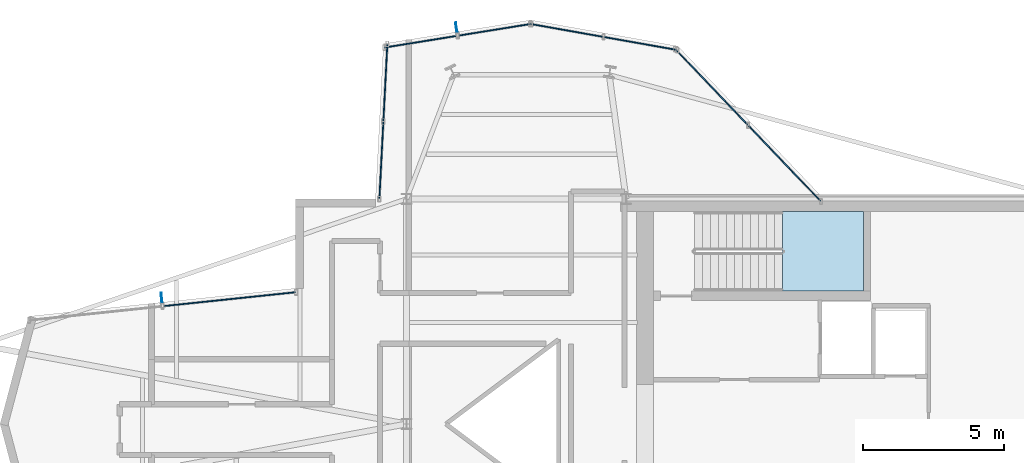
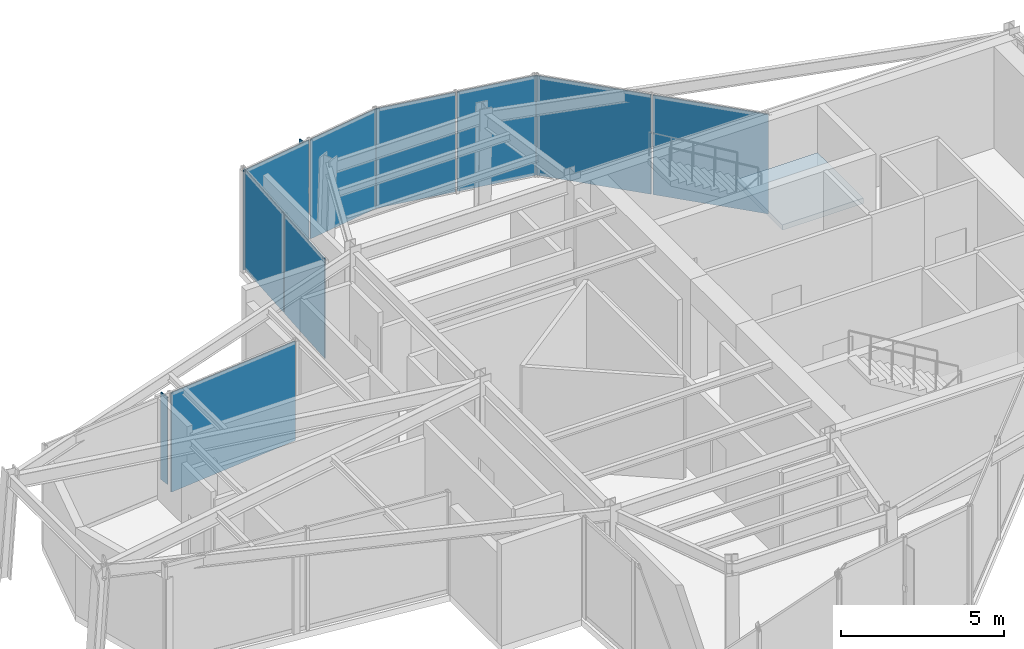
# One storey, part 10 of 14: 11 plates, 1 slab, 6 elements without a shape of their own.
"""IFC4 building model written with IfcOpenShell, lengths in metres."""

from ifc_helpers import new_model, si_unit, direction, frame, origin, origin_2d, place, context, subcontext, project, spatial, polyline, rectangle, outline, extrude, material, layer, layer_set, type_object, element, aggregate, save


model = new_model("IFC4")

# Units and contexts
model_context = context("Model", 3, precision=1e-05, world=origin(), true_north=direction((0.0, 1.0)))
body_context = subcontext(model_context, "Body", "Model", "MODEL_VIEW")
ifc_project = project(units=[si_unit("LENGTHUNIT", "METRE"), si_unit("AREAUNIT", "SQUARE_METRE"), si_unit("VOLUMEUNIT", "CUBIC_METRE"), si_unit("PLANEANGLEUNIT", "RADIAN"), si_unit("MASSUNIT", "GRAM", prefix="KILO")], contexts=[model_context])

# Site, building, storey
site_placement = place(None, origin())
site = spatial("IfcSite", under=ifc_project, at=site_placement, CompositionType="ELEMENT")
building_placement = place(site_placement, origin())
building = spatial("IfcBuilding", under=site, at=building_placement, Name="Veymaron Broadcast Tower", CompositionType="ELEMENT")
storey_placement = place(building_placement, frame((0.0, 0.0, 299.25)))
storey = spatial("IfcBuildingStorey", under=building, at=storey_placement, Name="L70", CompositionType="ELEMENT", Elevation=299.25)

# Curtain wall, plates
ifc_material_1 = material(Name="Anodised aluminium AA 6063-T6 and laminated low-E dark glass", Category="aluminium")
ifc_layer_1 = layer(ifc_material_1, 0.179931640625)
ifc_layer_set_1 = layer_set([ifc_layer_1], Name="Anodised aluminium AA 6063-T6 and laminated low-E dark glass")
curtain_wall_type = type_object("IfcCurtainWallType", Name="CW-SYS-06", PredefinedType="NOTDEFINED", material=ifc_layer_set_1)
curtain_wall_1_placement = place(storey_placement, origin())
curtain_wall_1 = element("IfcCurtainWall", 1, at=curtain_wall_1_placement, inside=storey, type_object=curtain_wall_type, Name="L70 dark-glass curtain wall CW-L70-E5-1", PredefinedType="NOTDEFINED")
ifc_material_2 = material(Name="Insulated dark-anodised aluminium spandrel panel 40 mm", Category="aluminium")
ifc_layer_2 = layer(ifc_material_2, 0.0400390625)
ifc_layer_set_2 = layer_set([ifc_layer_2], Name="Insulated dark-anodised aluminium spandrel panel 40 mm")
plate_type_1 = type_object("IfcPlateType", Name="CW-PNL-03", PredefinedType="CURTAIN_PANEL", material=ifc_layer_set_2)
plate_1_placement = place(storey_placement, frame((44.636474609375, 33.261474609375, 0.0400390625), z_axis=(0.0, 0.0, 1.0), x_axis=(-0.690869792815, 0.722979203972, 0.0)))
plate_1 = element("IfcPlate", 2, at=plate_1_placement, type_object=plate_type_1, Name="CW-L70-E5-1 unitised curtain panel 0", PredefinedType="CURTAIN_PANEL", context=body_context, shape_type="SweptSolid", body=[
    extrude(rectangle(XDim=3.697265625, YDim=0.0400390625, at=origin_2d()), origin(), (0.0, 0.0, 1.0), 3.72998046875),
])
plate_2_placement = place(storey_placement, frame((42.04052734375, 35.977783203125, 0.0400390625), z_axis=(0.0, 0.0, 1.0), x_axis=(-0.690869792815, 0.722979203972, 0.0)))
plate_2 = element("IfcPlate", 3, at=plate_2_placement, type_object=plate_type_1, Name="CW-L70-E5-1 unitised curtain panel 1", PredefinedType="CURTAIN_PANEL", context=body_context, shape_type="SweptSolid", body=[
    extrude(rectangle(XDim=3.697265625, YDim=0.0400390625, at=origin_2d()), origin(), (0.0, 0.0, 1.0), 3.72998046875),
])
aggregate(curtain_wall_1, [plate_1, plate_2])

curtain_wall_2_placement = place(storey_placement, origin())
curtain_wall_2 = element("IfcCurtainWall", 4, at=curtain_wall_2_placement, inside=storey, type_object=curtain_wall_type, Name="L70 dark-glass curtain wall CW-L70-E6-1", PredefinedType="NOTDEFINED")
plate_3_placement = place(storey_placement, frame((39.5107421875, 37.527099609375, 0.0400390625), z_axis=(0.0, 0.0, 1.0), x_axis=(-0.984634513959, 0.174627815429, 0.0)))
plate_3 = element("IfcPlate", 5, at=plate_3_placement, type_object=plate_type_1, Name="CW-L70-E6-1 unitised curtain panel 0", PredefinedType="CURTAIN_PANEL", context=body_context, shape_type="SweptSolid", body=[
    extrude(rectangle(XDim=2.59814453125, YDim=0.0400390625, at=origin_2d()), origin(), (0.0, 0.0, 1.0), 3.72998046875),
])
plate_4_placement = place(storey_placement, frame((36.8935546875, 37.9912109375, 0.0400390625), z_axis=(0.0, 0.0, 1.0), x_axis=(-0.984634513959, 0.174627815429, 0.0)))
plate_4 = element("IfcPlate", 6, at=plate_4_placement, type_object=plate_type_1, Name="CW-L70-E6-1 unitised curtain panel 1", PredefinedType="CURTAIN_PANEL", context=body_context, shape_type="SweptSolid", body=[
    extrude(rectangle(XDim=2.59814453125, YDim=0.0400390625, at=origin_2d()), origin(), (0.0, 0.0, 1.0), 3.72998046875),
])
aggregate(curtain_wall_2, [plate_3, plate_4])

curtain_wall_3_placement = place(storey_placement, origin())
curtain_wall_3 = element("IfcCurtainWall", 7, at=curtain_wall_3_placement, inside=storey, type_object=curtain_wall_type, Name="L70 dark-glass curtain wall CW-L70-E7-1", PredefinedType="NOTDEFINED")
plate_5_placement = place(storey_placement, frame((34.32275390625, 38.011962890625, 0.0400390625), z_axis=(0.0, 0.0, 1.0), x_axis=(-0.987250420904, -0.15917476692, 0.0)))
plate_5 = element("IfcPlate", 8, at=plate_5_placement, type_object=plate_type_1, Name="CW-L70-E7-1 unitised curtain panel 0", PredefinedType="CURTAIN_PANEL", context=body_context, shape_type="SweptSolid", body=[
    extrude(rectangle(XDim=2.59130859375, YDim=0.0400390625, at=origin_2d()), origin(), (0.0, 0.0, 1.0), 3.72998046875),
])
plate_6_placement = place(storey_placement, frame((31.70556640625, 37.590087890625, 0.0400390625), z_axis=(0.0, 0.0, 1.0), x_axis=(-0.987250420904, -0.15917476692, 0.0)))
plate_6 = element("IfcPlate", 9, at=plate_6_placement, type_object=plate_type_1, Name="CW-L70-E7-1 unitised curtain panel 1", PredefinedType="CURTAIN_PANEL", context=body_context, shape_type="SweptSolid", body=[
    extrude(rectangle(XDim=2.59130859375, YDim=0.0400390625, at=origin_2d()), origin(), (0.0, 0.0, 1.0), 3.72998046875),
])
aggregate(curtain_wall_3, [plate_5, plate_6])

curtain_wall_4_placement = place(storey_placement, origin())
curtain_wall_4 = element("IfcCurtainWall", 10, at=curtain_wall_4_placement, inside=storey, type_object=curtain_wall_type, Name="L70 dark-glass curtain wall CW-L70-E8-1", PredefinedType="NOTDEFINED")
plate_7_placement = place(storey_placement, frame((30.443359375, 36.130615234375, 0.0400390625), z_axis=(0.0, 0.0, 1.0), x_axis=(-0.051377316741, -0.998679313556, 0.0)))
plate_7 = element("IfcPlate", 11, at=plate_7_placement, type_object=plate_type_1, Name="CW-L70-E8-1 unitised curtain panel 0", PredefinedType="CURTAIN_PANEL", context=body_context, shape_type="SweptSolid", body=[
    extrude(rectangle(XDim=2.7021484375, YDim=0.0400390625, at=origin_2d()), origin(), (0.0, 0.0, 1.0), 3.72998046875),
])
plate_8_placement = place(storey_placement, frame((30.301513671875, 33.3720703125, 0.0400390625), z_axis=(0.0, 0.0, 1.0), x_axis=(-0.051377316741, -0.998679313556, 0.0)))
plate_8 = element("IfcPlate", 12, at=plate_8_placement, type_object=plate_type_1, Name="CW-L70-E8-1 unitised curtain panel 1", PredefinedType="CURTAIN_PANEL", context=body_context, shape_type="SweptSolid", body=[
    extrude(rectangle(XDim=2.7021484375, YDim=0.0400390625, at=origin_2d()), origin(), (0.0, 0.0, 1.0), 3.72998046875),
])
aggregate(curtain_wall_4, [plate_7, plate_8])

# Curtain wall, plate
curtain_wall_5_placement = place(storey_placement, origin())
curtain_wall_5 = element("IfcCurtainWall", 13, at=curtain_wall_5_placement, inside=storey, type_object=curtain_wall_type, Name="L70 dark-glass curtain wall CW-L70-E11-1", PredefinedType="NOTDEFINED")
plate_9_placement = place(storey_placement, frame((24.891845703125, 28.4345703125, 0.0400390625), z_axis=(0.0, 0.0, 1.0), x_axis=(-0.994518246031, -0.104563178567, 0.0)))
plate_9 = element("IfcPlate", 14, at=plate_9_placement, type_object=plate_type_1, Name="CW-L70-E11-1 unitised curtain panel 0", PredefinedType="CURTAIN_PANEL", context=body_context, shape_type="SweptSolid", body=[
    extrude(rectangle(XDim=4.7109375, YDim=0.0400390625, at=origin_2d()), origin(), (0.0, 0.0, 1.0), 3.72998046875),
])
aggregate(curtain_wall_5, [plate_9])

# Plates
ifc_material_3 = material(Name="Dark-anodised aluminium AA 6061-T6", Category="aluminium")
ifc_layer_3 = layer(ifc_material_3, 0.030029296875)
ifc_layer_set_3 = layer_set([ifc_layer_3], Name="Dark-anodised aluminium AA 6061-T6")
plate_type_2 = type_object("IfcPlateType", Name="FIN-CHEV-02", PredefinedType="USERDEFINED", material=ifc_layer_set_3)
for number, where, z_axis, x_axis, name in (
    (15, (32.9658203125, 38.10205078125, 0.2666015625), (0.0, 0.0, 1.0), (-0.15917476692, 0.987250420904, 0.0), "CW-L70-E7-1 chevron fin 1"),
    (16, (22.487548828125, 28.48828125, 0.2666015625), (0.0, 0.0, 1.0), (-0.104563178567, 0.994518246031, 0.0), "CW-L70-E11-1 chevron fin 1"),
):
    element("IfcPlate", number, at=place(storey_placement, frame(where, z_axis=z_axis, x_axis=x_axis)), inside=storey, type_object=plate_type_2, Name=name, ObjectType="FIN", PredefinedType="USERDEFINED", context=body_context, shape_type="SweptSolid", body=[
        extrude(rectangle(XDim=0.35009765625, YDim=0.034912109375, at=origin_2d()), origin(), (0.0, 0.0, 1.0), 3.276611328125),
    ])

# Stair, slab
ifc_material_4 = material(Name="Concrete C50/60", Category="concrete")
stair_type = type_object("IfcStairType", Name="STAIR-CORE-1", PredefinedType="HALF_TURN_STAIR", material=ifc_material_4)
stair_placement = place(storey_placement, origin())
stair = element("IfcStair", 17, at=stair_placement, inside=storey, type_object=stair_type, Name="L70 North protected dog-leg exit stair ST1", PredefinedType="HALF_TURN_STAIR")
ifc_layer_4 = layer(ifc_material_4, 0.199951171875)
ifc_layer_set_4 = layer_set([ifc_layer_4], Name="Concrete C50/60")
slab_type = type_object("IfcSlabType", Name="SLAB-STAIR-LDG", PredefinedType="LANDING", material=ifc_layer_set_4)
slab_placement = place(storey_placement, frame((0.0, 0.0, 1.824951171875)))
slab = element("IfcSlab", 18, at=slab_placement, type_object=slab_type, Name="ST1 landing 1", PredefinedType="LANDING", context=body_context, shape_type="SweptSolid", body=[
    extrude(outline(polyline([(44.56494140625, 28.72998046875), (47.43994140625, 28.72998046875), (47.43994140625, 31.550048828125), (44.56494140625, 31.550048828125), (44.56494140625, 28.72998046875)])), origin(), (0.0, 0.0, 1.0), 0.199951171875),
])
aggregate(stair, [slab])

save(model, "model.ifc")
